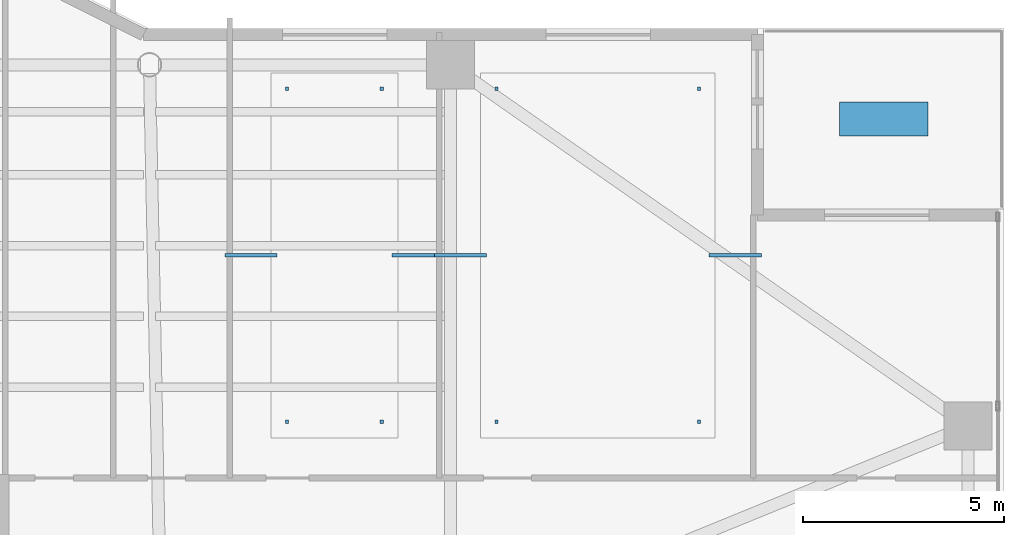
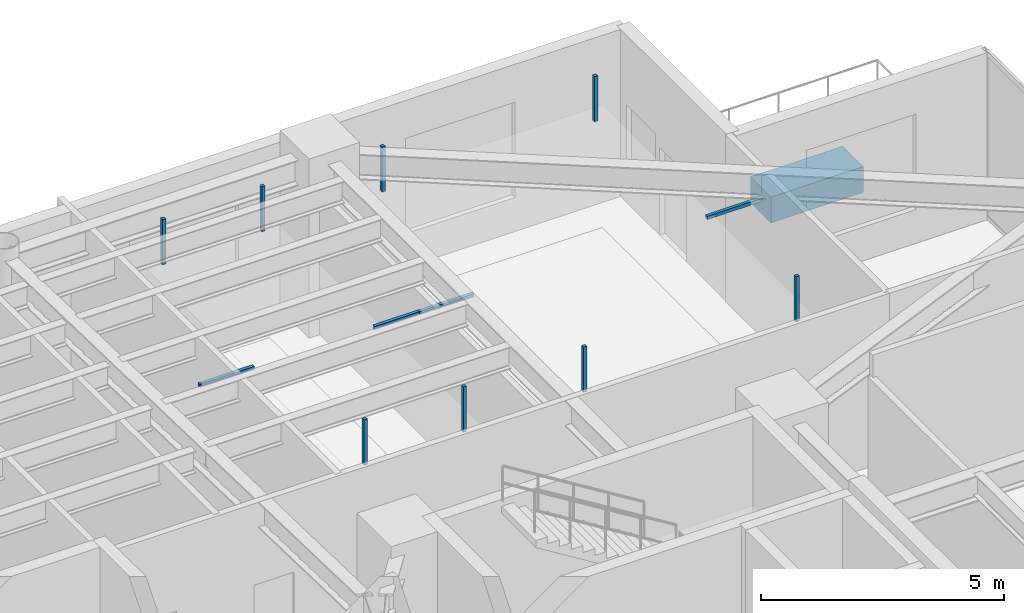
# One storey, part 35 of 39: 13 discrete accessories.
"""IFC4 building model written with IfcOpenShell, lengths in metres."""

from ifc_helpers import new_model, si_unit, direction, frame, origin, origin_2d, place, context, subcontext, project, spatial, rectangle, extrude, material, type_object, element, save


model = new_model("IFC4")

# Units and contexts
model_context = context("Model", 3, precision=1e-05, world=origin(), true_north=direction((0.0, 1.0)))
body_context = subcontext(model_context, "Body", "Model", "MODEL_VIEW")
ifc_project = project(units=[si_unit("LENGTHUNIT", "METRE"), si_unit("AREAUNIT", "SQUARE_METRE"), si_unit("VOLUMEUNIT", "CUBIC_METRE"), si_unit("PLANEANGLEUNIT", "RADIAN"), si_unit("MASSUNIT", "GRAM", prefix="KILO")], contexts=[model_context])

# Site, building, storey
site_placement = place(None, origin())
site = spatial("IfcSite", under=ifc_project, at=site_placement, CompositionType="ELEMENT")
building_placement = place(site_placement, origin())
building = spatial("IfcBuilding", under=site, at=building_placement, Name="Tarnavaz Court Tower", CompositionType="ELEMENT")
storey_placement = place(building_placement, frame((0.0, 0.0, 68.699951171875)))
storey = spatial("IfcBuildingStorey", under=building, at=storey_placement, Name="L18", CompositionType="ELEMENT", Elevation=68.699951171875)

# Discrete accessories
ifc_material_1 = material(Name="Anodised Aluminium 6063-T6", Category="aluminium")
discrete_accessory_type_1 = type_object("IfcDiscreteAccessoryType", Name="DA-BRKT-ALU", PredefinedType="BRACKET", material=ifc_material_1)
for number, where, z_axis, x_axis, name in (
    (1, (10.929931640625, 13.89990234375, 3.09033203125), (0.0, 0.0, 1.0), (1.0, 0.0, 0.0), "L18 Ceiling Suspension Hanger Bracket 03-1"),
    (2, (13.2900390625, 13.89990234375, 3.09033203125), (0.0, 0.0, 1.0), (1.0, 0.0, 0.0), "L18 Ceiling Suspension Hanger Bracket 03-2"),
    (3, (13.2900390625, 22.199951171875, 3.09033203125), (0.0, 0.0, 1.0), (1.0, 0.0, 0.0), "L18 Ceiling Suspension Hanger Bracket 03-3"),
    (4, (10.929931640625, 22.199951171875, 3.09033203125), (0.0, 0.0, 1.0), (1.0, 0.0, 0.0), "L18 Ceiling Suspension Hanger Bracket 03-4"),
):
    element("IfcDiscreteAccessory", number, at=place(storey_placement, frame(where, z_axis=z_axis, x_axis=x_axis)), inside=storey, type_object=discrete_accessory_type_1, Name=name, PredefinedType="BRACKET", context=body_context, shape_type="SweptSolid", body=[
        extrude(rectangle(XDim=0.080078125, YDim=0.080078125, at=origin_2d()), origin(), (0.0, 0.0, 1.0), 1.139892578125),
    ])
for number, where, z_axis, x_axis, name in (
    (5, (10.030029296875, 18.050048828125, 3.052490234375), (0.0, 0.0, 1.0), (1.0, 0.0, 0.0), "L18 Ceiling Perimeter Wall-Tie Bracket 03-1"),
    (6, (14.18994140625, 18.050048828125, 3.052490234375), (0.0, 0.0, 1.0), (1.0, 0.0, 0.0), "L18 Ceiling Perimeter Wall-Tie Bracket 03-2"),
):
    element("IfcDiscreteAccessory", number, at=place(storey_placement, frame(where, z_axis=z_axis, x_axis=x_axis)), inside=storey, type_object=discrete_accessory_type_1, Name=name, PredefinedType="BRACKET", context=body_context, shape_type="SweptSolid", body=[
        extrude(rectangle(XDim=1.300048828125, YDim=0.080078125, at=origin_2d()), origin(), (0.0, 0.0, 1.0), 0.080078125),
    ])
for number, where, z_axis, x_axis, name in (
    (7, (16.14990234375, 13.89990234375, 3.09033203125), (0.0, 0.0, 1.0), (1.0, 0.0, 0.0), "L18 Ceiling Suspension Hanger Bracket 04-1"),
    (8, (21.199951171875, 13.89990234375, 3.09033203125), (0.0, 0.0, 1.0), (1.0, 0.0, 0.0), "L18 Ceiling Suspension Hanger Bracket 04-2"),
    (9, (21.199951171875, 22.199951171875, 3.09033203125), (0.0, 0.0, 1.0), (1.0, 0.0, 0.0), "L18 Ceiling Suspension Hanger Bracket 04-3"),
    (10, (16.14990234375, 22.199951171875, 3.09033203125), (0.0, 0.0, 1.0), (1.0, 0.0, 0.0), "L18 Ceiling Suspension Hanger Bracket 04-4"),
):
    element("IfcDiscreteAccessory", number, at=place(storey_placement, frame(where, z_axis=z_axis, x_axis=x_axis)), inside=storey, type_object=discrete_accessory_type_1, Name=name, PredefinedType="BRACKET", context=body_context, shape_type="SweptSolid", body=[
        extrude(rectangle(XDim=0.080078125, YDim=0.080078125, at=origin_2d()), origin(), (0.0, 0.0, 1.0), 1.139892578125),
    ])
for number, where, z_axis, x_axis, name in (
    (11, (15.25, 18.050048828125, 3.052490234375), (0.0, 0.0, 1.0), (1.0, 0.0, 0.0), "L18 Ceiling Perimeter Wall-Tie Bracket 04-1"),
    (12, (22.10009765625, 18.050048828125, 3.052490234375), (0.0, 0.0, 1.0), (1.0, 0.0, 0.0), "L18 Ceiling Perimeter Wall-Tie Bracket 04-2"),
):
    element("IfcDiscreteAccessory", number, at=place(storey_placement, frame(where, z_axis=z_axis, x_axis=x_axis)), inside=storey, type_object=discrete_accessory_type_1, Name=name, PredefinedType="BRACKET", context=body_context, shape_type="SweptSolid", body=[
        extrude(rectangle(XDim=1.300048828125, YDim=0.080078125, at=origin_2d()), origin(), (0.0, 0.0, 1.0), 0.080078125),
    ])
ifc_material_2 = material(Name="Terracotta Architectural Planter Trough", Category="masonry")
discrete_accessory_type_2 = type_object("IfcDiscreteAccessoryType", Name="DA-PLANTER-TC", PredefinedType="USERDEFINED", material=ifc_material_2)
discrete_accessory_placement = place(storey_placement, frame((25.800048828125, 21.449951171875, 0.0), z_axis=(0.0, 0.0, 1.0), x_axis=(1.0, 0.0, 0.0)))
element("IfcDiscreteAccessory", 13, at=discrete_accessory_placement, inside=storey, type_object=discrete_accessory_type_2, Name="L18 Chahar-Bagh Terracotta Landscape Planter 1", ObjectType="PLANTER", PredefinedType="USERDEFINED", context=body_context, shape_type="SweptSolid", body=[
    extrude(rectangle(XDim=2.199951171875, YDim=0.85009765625, at=origin_2d()), origin(), (0.0, 0.0, 1.0), 0.64990234375),
])

save(model, "model.ifc")
